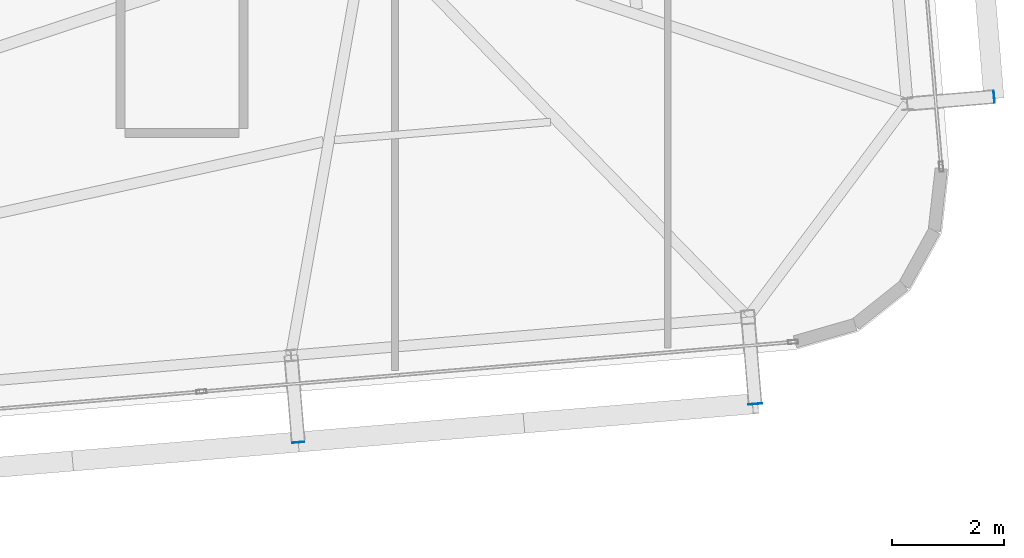
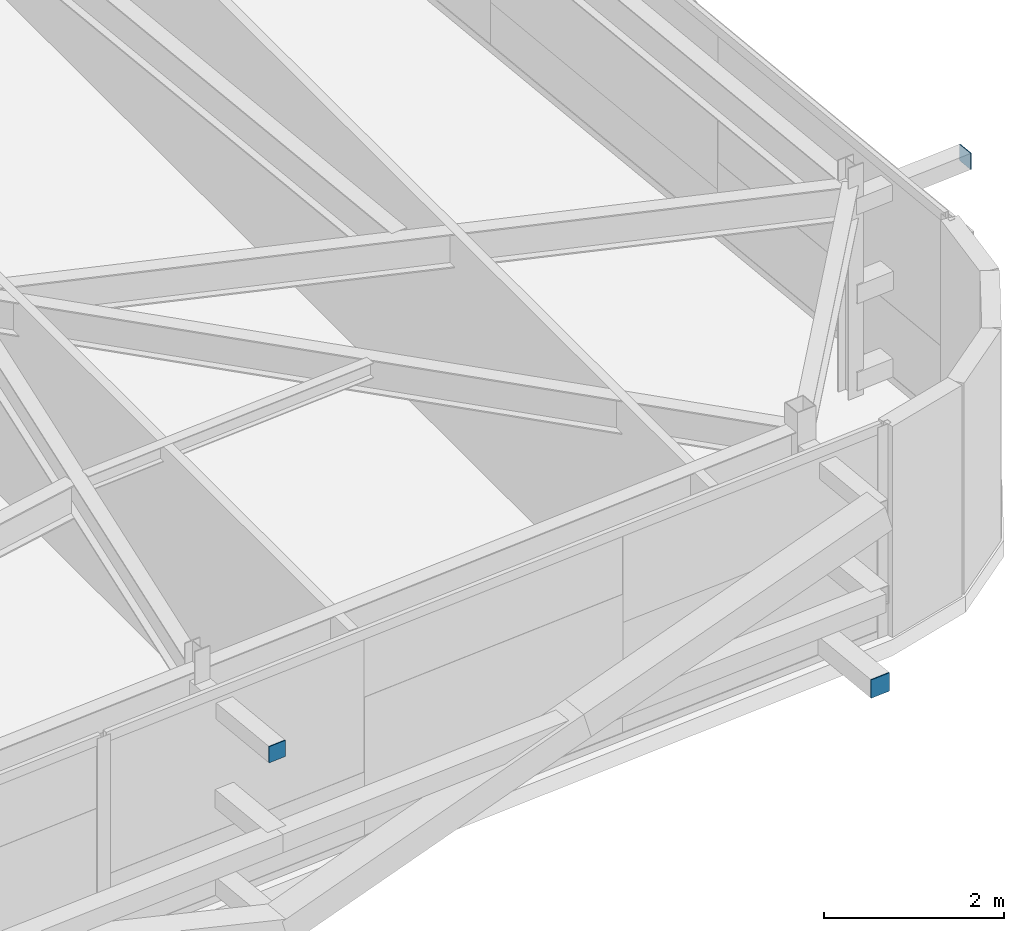
# One storey, part 30 of 39: 3 plates.
"""IFC4 building model written with IfcOpenShell, lengths in metres."""

from ifc_helpers import new_model, si_unit, direction, frame, origin, origin_2d, place, context, subcontext, project, spatial, rectangle, extrude, source, transform, mapped, material, layer, layer_set, type_object, element, save


model = new_model("IFC4")

# Units and contexts
model_context = context("Model", 3, precision=1e-05, world=origin(), true_north=direction((0.0, 1.0)))
body_context = subcontext(model_context, "Body", "Model", "MODEL_VIEW")
ifc_project = project(units=[si_unit("LENGTHUNIT", "METRE"), si_unit("AREAUNIT", "SQUARE_METRE"), si_unit("VOLUMEUNIT", "CUBIC_METRE"), si_unit("PLANEANGLEUNIT", "RADIAN"), si_unit("MASSUNIT", "GRAM", prefix="KILO")], contexts=[model_context])

# Site, building, storey
site_placement = place(None, origin())
site = spatial("IfcSite", under=ifc_project, at=site_placement, CompositionType="ELEMENT")
building_placement = place(site_placement, origin())
building = spatial("IfcBuilding", under=site, at=building_placement, Name="Taldren Reach Tower", CompositionType="ELEMENT")
storey_placement = place(building_placement, frame((0.0, 0.0, 204.050048828125)))
storey = spatial("IfcBuildingStorey", under=building, at=storey_placement, Name="L62", CompositionType="ELEMENT", Elevation=204.050048828125)

# Plates
ifc_material_1 = material(Name="Steel Gr 350 (C350L0)", Category="steel")
ifc_layer_1 = layer(ifc_material_1, 0.011962890625)
ifc_layer_set_1 = layer_set([ifc_layer_1], Name="Steel Gr 350 (C350L0)")
plate_type_1 = type_object("IfcPlateType", Name="PL-CAP-250", PredefinedType="SHEET", material=ifc_layer_set_1)
shared_shape_1 = source(origin(), body_context, "Body", "SweptSolid", [
    extrude(rectangle(XDim=0.25, YDim=0.011962890625, at=origin_2d()), origin(), (0.0, 0.0, 1.0), 0.25),
])
plate_1_placement = place(storey_placement, frame((58.926513671875, 3.9658203125, 0.094970703125), z_axis=(0.0, 0.0, 1.0), x_axis=(0.99649285925, 0.083677843332, 0.0)))
element("IfcPlate", 1, at=plate_1_placement, inside=storey, type_object=plate_type_1, Name="Tie strut end cap plate B4-S6 L62", PredefinedType="SHEET", context=body_context, shape_type="MappedRepresentation", body=[
    mapped(shared_shape_1, transform((0.0, 0.0, 0.0), scale=1.0)),
])
ifc_material_2 = material(Name="Steel Gr 450 (C450L0)", Category="steel")
ifc_layer_2 = layer(ifc_material_2, 0.011962890625)
ifc_layer_set_2 = layer_set([ifc_layer_2], Name="Steel Gr 450 (C450L0)")
plate_type_2 = type_object("IfcPlateType", Name="PL-CAP-220", PredefinedType="SHEET", material=ifc_layer_set_2)
shared_shape_2 = source(origin(), body_context, "Body", "SweptSolid", [
    extrude(rectangle(XDim=0.219970703125, YDim=0.011962890625, at=origin_2d()), origin(), (0.0, 0.0, 1.0), 0.219970703125),
])
plate_2_placement = place(storey_placement, frame((50.775146484375, 3.281494140625, 2.47998046875), z_axis=(0.0, 0.0, 1.0), x_axis=(0.99649285925, 0.083677843332, 0.0)))
element("IfcPlate", 2, at=plate_2_placement, inside=storey, type_object=plate_type_2, Name="Tie strut end cap plate B4-S5 L62", PredefinedType="SHEET", context=body_context, shape_type="MappedRepresentation", body=[
    mapped(shared_shape_2, transform((0.0, 0.0, 0.0), scale=1.0)),
])
shared_shape_3 = source(origin(), body_context, "Body", "SweptSolid", [
    extrude(rectangle(XDim=0.011962890625, YDim=0.219970703125, at=origin_2d()), origin(), (0.0, 0.0, 1.0), 0.219970703125),
])
plate_3_placement = place(storey_placement, frame((63.188720703125, 9.44775390625, 2.47998046875), z_axis=(0.0, 0.0, 1.0), x_axis=(0.99649285925, 0.083677843332, 0.0)))
element("IfcPlate", 3, at=plate_3_placement, inside=storey, type_object=plate_type_2, Name="Tie strut end cap plate B4-E1 L62", PredefinedType="SHEET", context=body_context, shape_type="MappedRepresentation", body=[
    mapped(shared_shape_3, transform((0.0, 0.0, 0.0), scale=1.0)),
])

save(model, "model.ifc")
